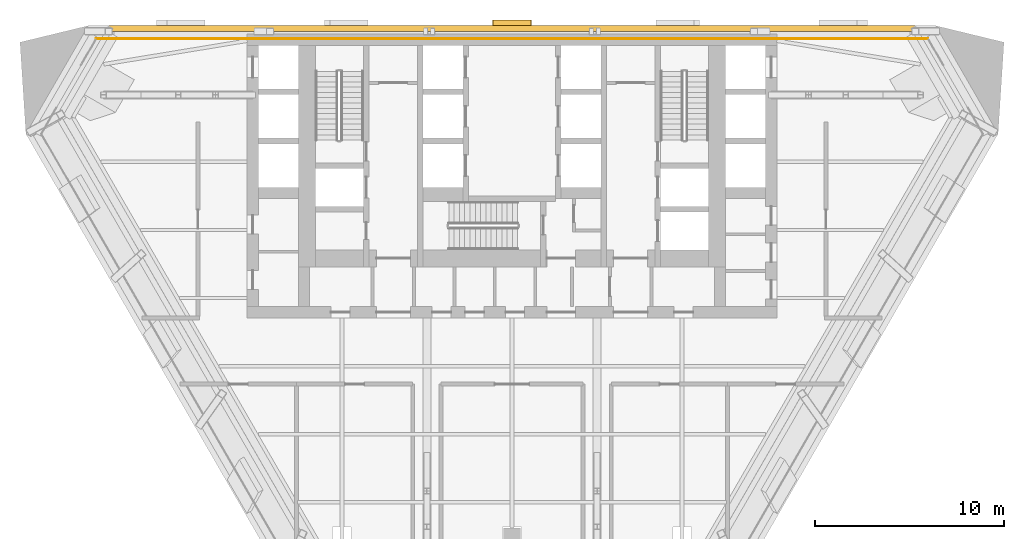
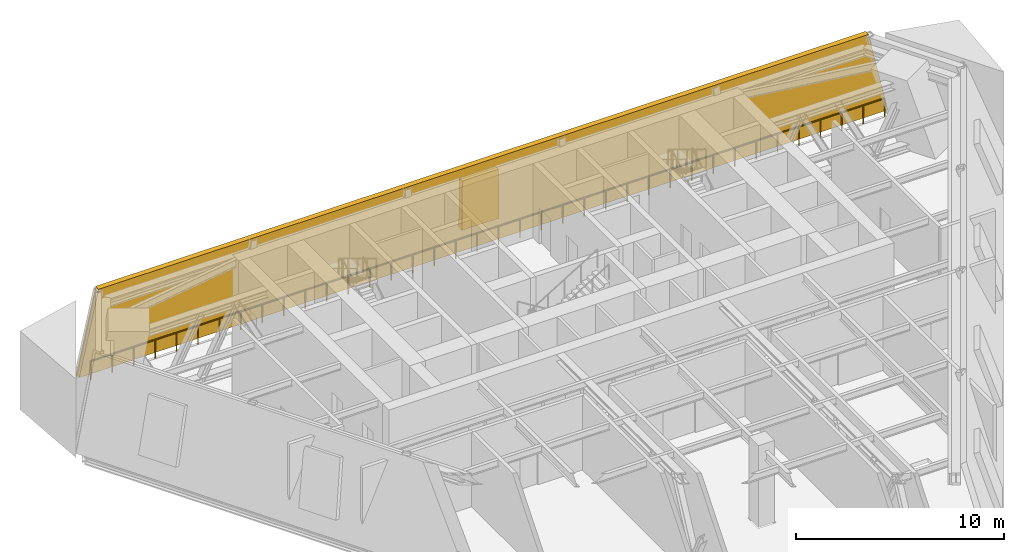
# One storey, part 8 of 9: 1 covering, 1 railing, 1 shading device.
"""IFC4 building model written with IfcOpenShell, lengths in metres."""

from ifc_helpers import new_model, si_unit, direction, frame, origin, origin_2d, place, context, subcontext, project, spatial, polyline, circle, outline, extrude, material, layer, layer_set, type_object, element, save


model = new_model("IFC4")

# Units and contexts
model_context = context("Model", 3, precision=1e-05, world=origin(), true_north=direction((0.0, 1.0)))
body_context = subcontext(model_context, "Body", "Model", "MODEL_VIEW")
ifc_project = project(units=[si_unit("LENGTHUNIT", "METRE"), si_unit("AREAUNIT", "SQUARE_METRE"), si_unit("VOLUMEUNIT", "CUBIC_METRE"), si_unit("PLANEANGLEUNIT", "RADIAN"), si_unit("MASSUNIT", "GRAM", prefix="KILO")], contexts=[model_context])

# Site, building, storey
site_placement = place(None, origin())
site = spatial("IfcSite", under=ifc_project, at=site_placement, CompositionType="ELEMENT")
building_placement = place(site_placement, origin())
building = spatial("IfcBuilding", under=site, at=building_placement, Name="Aloe Facet Convention Tower", CompositionType="ELEMENT")
storey_placement = place(building_placement, frame((0.0, 0.0, 77.0)))
storey = spatial("IfcBuildingStorey", under=building, at=storey_placement, Name="L18", CompositionType="ELEMENT", Elevation=77.0)

# Covering
ifc_material_1 = material(Name="Granite cladding, bronze anchors", Category="masonry")
ifc_layer_1 = layer(ifc_material_1, 0.300048828125)
ifc_layer_set_1 = layer_set([ifc_layer_1], Name="EV-CLAD-STONE")
covering_type = type_object("IfcCoveringType", Name="EV-CLAD-STONE", PredefinedType="CLADDING", material=ifc_layer_set_1)
covering_placement = place(storey_placement, frame((102.39990234375, 135.0, 0.0), z_axis=(0.0, 1.0, 0.0), x_axis=(-1.0, 0.0, 0.0)))
element("IfcCovering", 1, at=covering_placement, inside=storey, type_object=covering_type, Name="CLADDING L18-N", PredefinedType="CLADDING", context=body_context, shape_type="SweptSolid", body=[
    extrude(outline(polyline([(0.0, 0.0), (44.7998046875, 0.0), (43.721435546875, 4.800048828125), (1.078369140625, 4.800048828125), (0.0, 0.0)])), origin(), (0.0, 0.0, -1.0), 0.300048828125),
])

# Railing
ifc_material_2 = material(Name="Steel S355", Category="steel")
railing_type = type_object("IfcRailingType", Name="EV-GUARD-PORTAL", PredefinedType="GUARDRAIL", material=ifc_material_2)
railing_placement = place(storey_placement, frame((58.004150390625, 134.300048828125, 0.0)))
element("IfcRailing", 2, at=railing_placement, inside=storey, type_object=railing_type, Name="GUARD L18-9", PredefinedType="GUARDRAIL", context=body_context, shape_type="SweptSolid", body=[
    extrude(circle(Radius=0.02392578125, at=origin_2d()), frame((0.0, 0.0, 1.076171875), z_axis=(1.0, 0.0, 0.0), x_axis=(0.0, 1.0, 0.0)), (0.0, 0.0, 1.0), 43.99169921875),
    extrude(circle(Radius=0.02099609375, at=origin_2d()), origin(), (0.0, 0.0, 1.0), 1.052001953125),
    extrude(circle(Radius=0.02099609375, at=origin_2d()), frame((1.18896484375, 0.0, 0.0)), (0.0, 0.0, 1.0), 1.052001953125),
    extrude(circle(Radius=0.02099609375, at=origin_2d()), frame((2.3779296875, 0.0, 0.0)), (0.0, 0.0, 1.0), 1.052001953125),
    extrude(circle(Radius=0.02099609375, at=origin_2d()), frame((3.56689453125, 0.0, 0.0)), (0.0, 0.0, 1.0), 1.052001953125),
    extrude(circle(Radius=0.02099609375, at=origin_2d()), frame((4.755859375, 0.0, 0.0)), (0.0, 0.0, 1.0), 1.052001953125),
    extrude(circle(Radius=0.02099609375, at=origin_2d()), frame((5.94482421875, 0.0, 0.0)), (0.0, 0.0, 1.0), 1.052001953125),
    extrude(circle(Radius=0.02099609375, at=origin_2d()), frame((7.1337890625, 0.0, 0.0)), (0.0, 0.0, 1.0), 1.052001953125),
    extrude(circle(Radius=0.02099609375, at=origin_2d()), frame((8.32275390625, 0.0, 0.0)), (0.0, 0.0, 1.0), 1.052001953125),
    extrude(circle(Radius=0.02099609375, at=origin_2d()), frame((9.51171875, 0.0, 0.0)), (0.0, 0.0, 1.0), 1.052001953125),
    extrude(circle(Radius=0.02099609375, at=origin_2d()), frame((10.70068359375, 0.0, 0.0)), (0.0, 0.0, 1.0), 1.052001953125),
    extrude(circle(Radius=0.02099609375, at=origin_2d()), frame((11.8896484375, 0.0, 0.0)), (0.0, 0.0, 1.0), 1.052001953125),
    extrude(circle(Radius=0.02099609375, at=origin_2d()), frame((13.07861328125, 0.0, 0.0)), (0.0, 0.0, 1.0), 1.052001953125),
    extrude(circle(Radius=0.02099609375, at=origin_2d()), frame((14.267578125, 0.0, 0.0)), (0.0, 0.0, 1.0), 1.052001953125),
    extrude(circle(Radius=0.02099609375, at=origin_2d()), frame((15.45654296875, 0.0, 0.0)), (0.0, 0.0, 1.0), 1.052001953125),
    extrude(circle(Radius=0.02099609375, at=origin_2d()), frame((16.6455078125, 0.0, 0.0)), (0.0, 0.0, 1.0), 1.052001953125),
    extrude(circle(Radius=0.02099609375, at=origin_2d()), frame((17.83447265625, 0.0, 0.0)), (0.0, 0.0, 1.0), 1.052001953125),
    extrude(circle(Radius=0.02099609375, at=origin_2d()), frame((19.0234375, 0.0, 0.0)), (0.0, 0.0, 1.0), 1.052001953125),
    extrude(circle(Radius=0.02099609375, at=origin_2d()), frame((20.21240234375, 0.0, 0.0)), (0.0, 0.0, 1.0), 1.052001953125),
    extrude(circle(Radius=0.02099609375, at=origin_2d()), frame((21.4013671875, 0.0, 0.0)), (0.0, 0.0, 1.0), 1.052001953125),
    extrude(circle(Radius=0.02099609375, at=origin_2d()), frame((22.59033203125, 0.0, 0.0)), (0.0, 0.0, 1.0), 1.052001953125),
    extrude(circle(Radius=0.02099609375, at=origin_2d()), frame((23.779296875, 0.0, 0.0)), (0.0, 0.0, 1.0), 1.052001953125),
    extrude(circle(Radius=0.02099609375, at=origin_2d()), frame((24.96826171875, 0.0, 0.0)), (0.0, 0.0, 1.0), 1.052001953125),
    extrude(circle(Radius=0.02099609375, at=origin_2d()), frame((26.1572265625, 0.0, 0.0)), (0.0, 0.0, 1.0), 1.052001953125),
    extrude(circle(Radius=0.02099609375, at=origin_2d()), frame((27.34619140625, 0.0, 0.0)), (0.0, 0.0, 1.0), 1.052001953125),
    extrude(circle(Radius=0.02099609375, at=origin_2d()), frame((28.53515625, 0.0, 0.0)), (0.0, 0.0, 1.0), 1.052001953125),
    extrude(circle(Radius=0.02099609375, at=origin_2d()), frame((29.72412109375, 0.0, 0.0)), (0.0, 0.0, 1.0), 1.052001953125),
    extrude(circle(Radius=0.02099609375, at=origin_2d()), frame((30.9130859375, 0.0, 0.0)), (0.0, 0.0, 1.0), 1.052001953125),
    extrude(circle(Radius=0.02099609375, at=origin_2d()), frame((32.10205078125, 0.0, 0.0)), (0.0, 0.0, 1.0), 1.052001953125),
    extrude(circle(Radius=0.02099609375, at=origin_2d()), frame((33.291015625, 0.0, 0.0)), (0.0, 0.0, 1.0), 1.052001953125),
    extrude(circle(Radius=0.02099609375, at=origin_2d()), frame((34.47998046875, 0.0, 0.0)), (0.0, 0.0, 1.0), 1.052001953125),
    extrude(circle(Radius=0.02099609375, at=origin_2d()), frame((35.6689453125, 0.0, 0.0)), (0.0, 0.0, 1.0), 1.052001953125),
    extrude(circle(Radius=0.02099609375, at=origin_2d()), frame((36.85791015625, 0.0, 0.0)), (0.0, 0.0, 1.0), 1.052001953125),
    extrude(circle(Radius=0.02099609375, at=origin_2d()), frame((38.046875, 0.0, 0.0)), (0.0, 0.0, 1.0), 1.052001953125),
    extrude(circle(Radius=0.02099609375, at=origin_2d()), frame((39.23583984375, 0.0, 0.0)), (0.0, 0.0, 1.0), 1.052001953125),
    extrude(circle(Radius=0.02099609375, at=origin_2d()), frame((40.4248046875, 0.0, 0.0)), (0.0, 0.0, 1.0), 1.052001953125),
    extrude(circle(Radius=0.02099609375, at=origin_2d()), frame((41.61376953125, 0.0, 0.0)), (0.0, 0.0, 1.0), 1.052001953125),
    extrude(circle(Radius=0.02099609375, at=origin_2d()), frame((42.802734375, 0.0, 0.0)), (0.0, 0.0, 1.0), 1.052001953125),
    extrude(circle(Radius=0.02099609375, at=origin_2d()), frame((43.99169921875, 0.0, 0.0)), (0.0, 0.0, 1.0), 1.052001953125),
])

# Shading device
ifc_material_3 = material(Name="Aluminium, anodised", Category="aluminium")
ifc_layer_2 = layer(ifc_material_3, 0.300048828125)
ifc_layer_set_2 = layer_set([ifc_layer_2], Name="EV-LOUVRE-BELT")
shading_device_type = type_object("IfcShadingDeviceType", Name="EV-LOUVRE-BELT", PredefinedType="JALOUSIE", material=ifc_layer_set_2)
shading_device_placement = place(storey_placement, frame((81.03515625, 135.300048828125, 0.9599609375), z_axis=(0.0, 1.0, 0.0), x_axis=(-1.0, 0.0, 0.0)))
element("IfcShadingDevice", 3, at=shading_device_placement, inside=storey, type_object=shading_device_type, Name="LOUVRE L18-N08", PredefinedType="JALOUSIE", context=body_context, shape_type="SweptSolid", body=[
    extrude(outline(polyline([(0.0, 0.0), (2.0703125, 0.0), (2.040283203125, 2.880126953125), (0.030029296875, 2.880126953125), (0.0, 0.0)])), origin(), (0.0, 0.0, -1.0), 0.300048828125),
])

save(model, "model.ifc")
